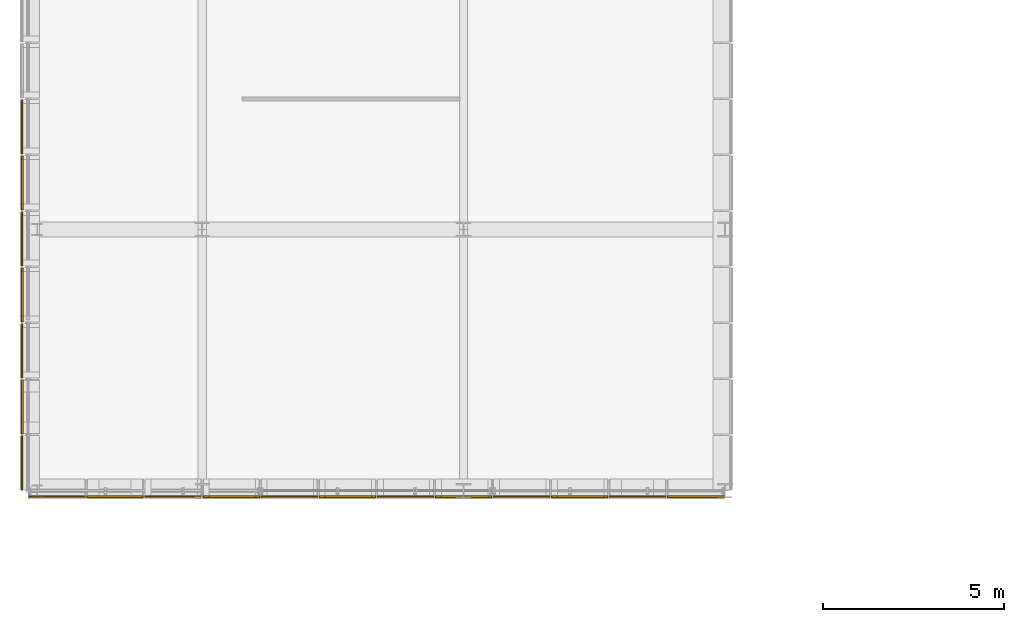
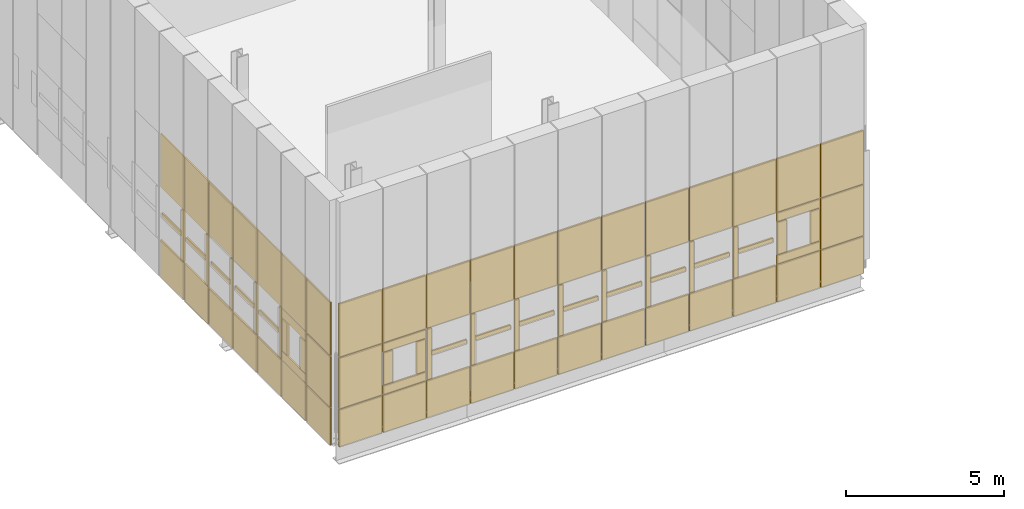
# One storey, part 125 of 144: 79 coverings.
"""IFC4 building model written with IfcOpenShell, lengths in metres."""

import ifcopenshell
import ifcopenshell.guid

model = None  # the IFC model being written
_history = None  # IfcOwnerHistory: only IFC2X3 demands one
_inside = {}  # id of a spatial element -> (the spatial element, [elements in it])
_under = {}  # id of a project, library or spatial element -> (it, [spatial elements below it])
_declared = {}  # id of a project -> (the project, [libraries it declares])
_typed = {}  # id of a type object -> (the type object, [elements of that type])
_made_of = {}  # id of a material, layer set ... -> (it, [elements and type objects made of it])


def new_model(schema):
    """Start an empty IFC model of exactly this schema.

    Asked for "IFC4X3", IfcOpenShell would pick the latest addendum, in which some entities
    have other attributes; the version numbers below select the first issue.
    IFC2X3 requires an IfcOwnerHistory on every rooted entity: one is made here for all.
    """
    global model, _history
    if schema == "IFC4X3":
        model = ifcopenshell.file(schema_version=(4, 3, 0, 0))
    else:
        model = ifcopenshell.file(schema=schema)
    _inside.clear()
    _under.clear()
    _declared.clear()
    _typed.clear()
    _made_of.clear()
    _history = None
    if model.schema == "IFC2X3":
        org = make("IfcOrganization", Name="unknown")
        user = make(
            "IfcPersonAndOrganization",
            ThePerson=make("IfcPerson", FamilyName="unknown"),
            TheOrganization=org,
        )
        app = make(
            "IfcApplication",
            ApplicationDeveloper=org,
            Version="unknown",
            ApplicationFullName="unknown",
            ApplicationIdentifier="unknown",
        )
        _history = make(
            "IfcOwnerHistory",
            OwningUser=user,
            OwningApplication=app,
            ChangeAction="ADDED",
            CreationDate=0,
        )
    return model


def make(cls, **values):
    """One entity of the class cls with the attributes given. An attribute that is None is left unset."""
    return model.create_entity(
        cls, **{name: value for name, value in values.items() if value is not None}
    )


def rooted(cls, **values):
    """An entity with a GlobalId (a new one), such as an element, a storey or a relation."""
    return make(cls, GlobalId=ifcopenshell.guid.new(), OwnerHistory=_history, **values)


def si_unit(unit_type, name, prefix=None):
    """IfcSIUnit, for example si_unit("LENGTHUNIT", "METRE", prefix="MILLI")."""
    return make("IfcSIUnit", UnitType=unit_type, Prefix=prefix, Name=name)


def assignment(units):
    """IfcUnitAssignment: the units of a project."""
    return None if units is None else make("IfcUnitAssignment", Units=units)


def point(xyz):
    """IfcCartesianPoint."""
    return None if xyz is None else make("IfcCartesianPoint", Coordinates=xyz)


def direction(xyz):
    """IfcDirection."""
    return None if xyz is None else make("IfcDirection", DirectionRatios=xyz)


def frame(location, z_axis=None, x_axis=None):
    """IfcAxis2Placement3D, a coordinate frame: its origin and axes. An axis left out is left unset."""
    return make(
        "IfcAxis2Placement3D",
        Location=point(location),
        Axis=direction(z_axis),
        RefDirection=direction(x_axis),
    )


def frame_2d(location, x_axis=None):
    """IfcAxis2Placement2D, a coordinate frame in the plane: its origin and x axis."""
    return make(
        "IfcAxis2Placement2D", Location=point(location), RefDirection=direction(x_axis)
    )


def origin():
    """The frame at (0, 0, 0) with its axes left unset."""
    return frame((0.0, 0.0, 0.0))


def origin_2d():
    """The frame at (0, 0) in the plane with its x axis left unset."""
    return frame_2d((0.0, 0.0))


def place(relative_to, where):
    """IfcLocalPlacement: puts the frame where relative to a parent placement (None: the world)."""
    return make(
        "IfcLocalPlacement", PlacementRelTo=relative_to, RelativePlacement=where
    )


def context(
    kind, dimensions, precision=None, world=None, true_north=None, identifier=None
):
    """IfcGeometricRepresentationContext, for example the 3D "Model" context."""
    return make(
        "IfcGeometricRepresentationContext",
        ContextIdentifier=identifier,
        ContextType=kind,
        CoordinateSpaceDimension=dimensions,
        Precision=precision,
        WorldCoordinateSystem=world,
        TrueNorth=true_north,
    )


def subcontext(parent, identifier, kind, view, scale=None):
    """IfcGeometricRepresentationSubContext, for example "Body" below "Model"."""
    return make(
        "IfcGeometricRepresentationSubContext",
        ContextIdentifier=identifier,
        ContextType=kind,
        ParentContext=parent,
        TargetScale=scale,
        TargetView=view,
    )


def project(units=None, contexts=None):
    """IfcProject with its units and contexts."""
    return rooted(
        "IfcProject",
        Name="project",
        RepresentationContexts=contexts,
        UnitsInContext=assignment(units),
    )


def spatial(cls, under=None, at=None, **own):
    """A site, building, storey or space (cls), placed at a placement, below another one or the project."""
    s = rooted(cls, ObjectPlacement=at, **own)
    if under is not None:
        _under.setdefault(under.id(), (under, []))[1].append(s)
    return s


def profile(cls, at=None, kind="AREA", **sizes):
    """A parametric profile (cls). Its sizes go by their IFC names, for example OverallWidth=200.0."""
    return make(cls, ProfileType=kind, Position=at, **sizes)


def rectangle(**sizes):
    """IfcRectangleProfileDef."""
    return profile("IfcRectangleProfileDef", **sizes)


def extrude(swept, where, along, depth):
    """IfcExtrudedAreaSolid: the profile swept, set in the frame where, extruded along a direction by depth."""
    return make(
        "IfcExtrudedAreaSolid",
        SweptArea=swept,
        Position=where,
        ExtrudedDirection=direction(along),
        Depth=depth,
    )


def shape(context_of_items, identifier, shape_type, items):
    """IfcShapeRepresentation: the items that make up one representation, for example the "Body"."""
    return make(
        "IfcShapeRepresentation",
        ContextOfItems=context_of_items,
        RepresentationIdentifier=identifier,
        RepresentationType=shape_type,
        Items=items,
    )


def material(Name=None, Category=None):
    """IfcMaterial."""
    return make("IfcMaterial", Name=Name, Category=Category)


def layer(
    of_material, thickness, ventilated=None, Name=None, Category=None, Priority=None
):
    """IfcMaterialLayer: one layer of a wall or slab, of a material (None: an air gap)."""
    return make(
        "IfcMaterialLayer",
        Material=of_material,
        LayerThickness=thickness,
        IsVentilated=ventilated,
        Name=Name,
        Category=Category,
        Priority=Priority,
    )


def layer_set(layers, Name=None):
    """IfcMaterialLayerSet."""
    return make("IfcMaterialLayerSet", MaterialLayers=layers, LayerSetName=Name)


def made_of(thing, what):
    """Note that an element or type object is made of a material, layer set ...; save() writes the relation."""
    if what is not None:
        _made_of.setdefault(what.id(), (what, []))[1].append(thing)
    return thing


def type_object(cls, material=None, **own):
    """A type object (cls), such as IfcWallType, which elements share."""
    return made_of(rooted(cls, **own), material)


def element(
    cls,
    number,
    at=None,
    inside=None,
    cuts=None,
    type_object=None,
    material=None,
    context=None,
    identifier="Body",
    shape_type=None,
    held_by="IfcProductDefinitionShape",
    body=None,
    shapes=None,
    **own,
):
    """One element of the class cls, such as IfcWall. Its Tag is "e" and its number.

    at: its placement. inside: the storey or other place that contains it. cuts: it is an
    opening in that element (IfcRelVoidsElement). A single representation is given by context,
    identifier, shape_type and body (its items); several are given by shapes. held_by: the class
    of the entity that holds the representations. save() writes the other relations.
    """
    e = rooted(cls, Tag="e%d" % number, ObjectPlacement=at, **own)
    if body is not None:
        shapes = [shape(context, identifier, shape_type, body)]
    if shapes is not None:
        e.Representation = make(held_by, Representations=shapes)
    if inside is not None:
        _inside.setdefault(inside.id(), (inside, []))[1].append(e)
    if cuts is not None:
        rooted(
            "IfcRelVoidsElement", RelatingBuildingElement=cuts, RelatedOpeningElement=e
        )
    if type_object is not None:
        _typed.setdefault(type_object.id(), (type_object, []))[1].append(e)
    return made_of(e, material)


def aggregate(whole, parts):
    """IfcRelAggregates: a whole, such as a stair, and the parts it consists of."""
    return rooted("IfcRelAggregates", RelatingObject=whole, RelatedObjects=parts)


def save(model, path):
    """Write the relations noted so far, then the file.

    IfcRelAggregates (storeys below a building ...), IfcRelContainedInSpatialStructure (elements
    in a storey), IfcRelDefinesByType, IfcRelAssociatesMaterial and IfcRelDeclares: one each for
    every whole, place, type object, material and project.
    """
    for whole, parts in _under.values():
        aggregate(whole, parts)
    for where, things in _inside.values():
        rooted(
            "IfcRelContainedInSpatialStructure",
            RelatedElements=things,
            RelatingStructure=where,
        )
    for kind, things in _typed.values():
        rooted("IfcRelDefinesByType", RelatedObjects=things, RelatingType=kind)
    for what, things in _made_of.values():
        rooted("IfcRelAssociatesMaterial", RelatedObjects=things, RelatingMaterial=what)
    for by, libraries in _declared.values():
        rooted("IfcRelDeclares", RelatingContext=by, RelatedDefinitions=libraries)
    model.write(path)


model = new_model("IFC4")

# Units and contexts
model_context = context("Model", 3, precision=1e-05, world=origin(), true_north=direction((0.0, 1.0)))
body_context = subcontext(model_context, "Body", "Model", "MODEL_VIEW")
ifc_project = project(units=[si_unit("LENGTHUNIT", "METRE"), si_unit("AREAUNIT", "SQUARE_METRE"), si_unit("VOLUMEUNIT", "CUBIC_METRE"), si_unit("PLANEANGLEUNIT", "RADIAN"), si_unit("MASSUNIT", "GRAM", prefix="KILO")], contexts=[model_context])

# Site, building, storey
site_placement = place(None, origin())
site = spatial("IfcSite", under=ifc_project, at=site_placement, CompositionType="ELEMENT")
building_placement = place(site_placement, origin())
building = spatial("IfcBuilding", under=site, at=building_placement, Name="Yarey Park Central Fire Station", CompositionType="ELEMENT")
storey_placement = place(building_placement, frame((0.0, 0.0, 10.199951171875)))
storey = spatial("IfcBuildingStorey", under=building, at=storey_placement, Name="L03", CompositionType="ELEMENT", Elevation=10.199951171875)

# Coverings
ifc_material = material(Name="Perforated Powder-Coated Aluminium Cladding", Category="aluminium")
ifc_layer_1 = layer(ifc_material, 0.0419921875)
ifc_layer_set_1 = layer_set([ifc_layer_1], Name="Perforated Powder-Coated Aluminium Cladding")
covering_type_1 = type_object("IfcCoveringType", Name="ENV_COV_PERF_1", PredefinedType="CLADDING", material=ifc_layer_set_1)
covering_1_placement = place(storey_placement, frame((9.43994140625, 22.371337890625, -0.5048828125), z_axis=(0.0, 0.0, 1.0), x_axis=(0.0, 1.0, 0.0)))
element("IfcCovering", 1, at=covering_1_placement, inside=storey, type_object=covering_type_1, Name="PERF_L03_0001", PredefinedType="CLADDING", context=body_context, shape_type="SweptSolid", body=[
    extrude(rectangle(XDim=1.5029296875, YDim=0.0419921875, at=origin_2d()), origin(), (0.0, 0.0, 1.0), 1.43994140625),
])
covering_2_placement = place(storey_placement, frame((9.43994140625, 22.371337890625, 0.96484375), z_axis=(0.0, 0.0, 1.0), x_axis=(0.0, 1.0, 0.0)))
element("IfcCovering", 2, at=covering_2_placement, inside=storey, type_object=covering_type_1, Name="PERF_L03_0002", PredefinedType="CLADDING", context=body_context, shape_type="SweptSolid", body=[
    extrude(rectangle(XDim=1.5029296875, YDim=0.0419921875, at=origin_2d()), origin(), (0.0, 0.0, 1.0), 1.969970703125),
])
covering_3_placement = place(storey_placement, frame((9.43994140625, 22.371337890625, 2.96484375), z_axis=(0.0, 0.0, 1.0), x_axis=(0.0, 1.0, 0.0)))
element("IfcCovering", 3, at=covering_3_placement, inside=storey, type_object=covering_type_1, Name="PERF_L03_0003", PredefinedType="CLADDING", context=body_context, shape_type="SweptSolid", body=[
    extrude(rectangle(XDim=1.5029296875, YDim=0.0419921875, at=origin_2d()), origin(), (0.0, 0.0, 1.0), 2.070068359375),
])
covering_4_placement = place(storey_placement, frame((9.43994140625, 25.45703125, -0.5048828125), z_axis=(0.0, 0.0, 1.0), x_axis=(0.0, 1.0, 0.0)))
element("IfcCovering", 4, at=covering_4_placement, inside=storey, type_object=covering_type_1, Name="PERF_L03_0017", PredefinedType="CLADDING", context=body_context, shape_type="SweptSolid", body=[
    extrude(rectangle(XDim=1.5029296875, YDim=0.0419921875, at=origin_2d()), origin(), (0.0, 0.0, 1.0), 1.43994140625),
])
covering_5_placement = place(storey_placement, frame((9.43994140625, 24.795654296875, 0.96484375), z_axis=(0.0, 0.0, 1.0), x_axis=(0.0, 1.0, 0.0)))
element("IfcCovering", 5, at=covering_5_placement, inside=storey, type_object=covering_type_1, Name="PERF_L03_0018", PredefinedType="CLADDING", context=body_context, shape_type="SweptSolid", body=[
    extrude(rectangle(XDim=0.159912109375, YDim=0.0419921875, at=origin_2d()), origin(), (0.0, 0.0, 1.0), 1.969970703125),
])
covering_6_placement = place(storey_placement, frame((9.43994140625, 25.45703125, 1.8701171875), z_axis=(0.0, 0.0, 1.0), x_axis=(0.0, 1.0, 0.0)))
element("IfcCovering", 6, at=covering_6_placement, inside=storey, type_object=covering_type_1, Name="PERF_L03_0019", PredefinedType="CLADDING", context=body_context, shape_type="SweptSolid", body=[
    extrude(rectangle(XDim=1.302978515625, YDim=0.0419921875, at=origin_2d()), origin(), (0.0, 0.0, 1.0), 0.159912109375),
])
covering_7_placement = place(storey_placement, frame((9.43994140625, 25.45703125, 2.96484375), z_axis=(0.0, 0.0, 1.0), x_axis=(0.0, 1.0, 0.0)))
element("IfcCovering", 7, at=covering_7_placement, inside=storey, type_object=covering_type_1, Name="PERF_L03_0020", PredefinedType="CLADDING", context=body_context, shape_type="SweptSolid", body=[
    extrude(rectangle(XDim=1.5029296875, YDim=0.0419921875, at=origin_2d()), origin(), (0.0, 0.0, 1.0), 2.070068359375),
])
covering_8_placement = place(storey_placement, frame((9.43994140625, 28.54296875, -0.5048828125), z_axis=(0.0, 0.0, 1.0), x_axis=(0.0, 1.0, 0.0)))
element("IfcCovering", 8, at=covering_8_placement, inside=storey, type_object=covering_type_1, Name="PERF_L03_0031", PredefinedType="CLADDING", context=body_context, shape_type="SweptSolid", body=[
    extrude(rectangle(XDim=1.5029296875, YDim=0.0419921875, at=origin_2d()), origin(), (0.0, 0.0, 1.0), 1.43994140625),
])
covering_9_placement = place(storey_placement, frame((9.43994140625, 27.881591796875, 0.96484375), z_axis=(0.0, 0.0, 1.0), x_axis=(0.0, 1.0, 0.0)))
element("IfcCovering", 9, at=covering_9_placement, inside=storey, type_object=covering_type_1, Name="PERF_L03_0032", PredefinedType="CLADDING", context=body_context, shape_type="SweptSolid", body=[
    extrude(rectangle(XDim=0.159912109375, YDim=0.0419921875, at=origin_2d()), origin(), (0.0, 0.0, 1.0), 1.969970703125),
])
covering_10_placement = place(storey_placement, frame((9.43994140625, 28.54296875, 1.8701171875), z_axis=(0.0, 0.0, 1.0), x_axis=(0.0, 1.0, 0.0)))
element("IfcCovering", 10, at=covering_10_placement, inside=storey, type_object=covering_type_1, Name="PERF_L03_0033", PredefinedType="CLADDING", context=body_context, shape_type="SweptSolid", body=[
    extrude(rectangle(XDim=1.302978515625, YDim=0.0419921875, at=origin_2d()), origin(), (0.0, 0.0, 1.0), 0.159912109375),
])
covering_11_placement = place(storey_placement, frame((9.43994140625, 28.54296875, 2.96484375), z_axis=(0.0, 0.0, 1.0), x_axis=(0.0, 1.0, 0.0)))
element("IfcCovering", 11, at=covering_11_placement, inside=storey, type_object=covering_type_1, Name="PERF_L03_0034", PredefinedType="CLADDING", context=body_context, shape_type="SweptSolid", body=[
    extrude(rectangle(XDim=1.5029296875, YDim=0.0419921875, at=origin_2d()), origin(), (0.0, 0.0, 1.0), 2.070068359375),
])
covering_12_placement = place(storey_placement, frame((9.43994140625, 31.628662109375, -0.5048828125), z_axis=(0.0, 0.0, 1.0), x_axis=(0.0, 1.0, 0.0)))
element("IfcCovering", 12, at=covering_12_placement, inside=storey, type_object=covering_type_1, Name="PERF_L03_0045", PredefinedType="CLADDING", context=body_context, shape_type="SweptSolid", body=[
    extrude(rectangle(XDim=1.5029296875, YDim=0.0419921875, at=origin_2d()), origin(), (0.0, 0.0, 1.0), 1.43994140625),
])
covering_13_placement = place(storey_placement, frame((9.43994140625, 30.96728515625, 0.96484375), z_axis=(0.0, 0.0, 1.0), x_axis=(0.0, 1.0, 0.0)))
element("IfcCovering", 13, at=covering_13_placement, inside=storey, type_object=covering_type_1, Name="PERF_L03_0046", PredefinedType="CLADDING", context=body_context, shape_type="SweptSolid", body=[
    extrude(rectangle(XDim=0.159912109375, YDim=0.0419921875, at=origin_2d()), origin(), (0.0, 0.0, 1.0), 1.969970703125),
])
covering_14_placement = place(storey_placement, frame((9.43994140625, 31.628662109375, 1.8701171875), z_axis=(0.0, 0.0, 1.0), x_axis=(0.0, 1.0, 0.0)))
element("IfcCovering", 14, at=covering_14_placement, inside=storey, type_object=covering_type_1, Name="PERF_L03_0047", PredefinedType="CLADDING", context=body_context, shape_type="SweptSolid", body=[
    extrude(rectangle(XDim=1.302978515625, YDim=0.0419921875, at=origin_2d()), origin(), (0.0, 0.0, 1.0), 0.159912109375),
])
covering_15_placement = place(storey_placement, frame((9.43994140625, 31.628662109375, 2.96484375), z_axis=(0.0, 0.0, 1.0), x_axis=(0.0, 1.0, 0.0)))
element("IfcCovering", 15, at=covering_15_placement, inside=storey, type_object=covering_type_1, Name="PERF_L03_0048", PredefinedType="CLADDING", context=body_context, shape_type="SweptSolid", body=[
    extrude(rectangle(XDim=1.5029296875, YDim=0.0419921875, at=origin_2d()), origin(), (0.0, 0.0, 1.0), 2.070068359375),
])
covering_16_placement = place(storey_placement, frame((10.39990234375, 21.43994140625, -0.5048828125), z_axis=(0.0, 0.0, 1.0), x_axis=(1.0, 0.0, 0.0)))
element("IfcCovering", 16, at=covering_16_placement, inside=storey, type_object=covering_type_1, Name="PERF_L03_0103", PredefinedType="CLADDING", context=body_context, shape_type="SweptSolid", body=[
    extrude(rectangle(XDim=1.56005859375, YDim=0.0419921875, at=origin_2d()), origin(), (0.0, 0.0, 1.0), 1.43994140625),
])
covering_17_placement = place(storey_placement, frame((10.39990234375, 21.43994140625, 0.96484375), z_axis=(0.0, 0.0, 1.0), x_axis=(1.0, 0.0, 0.0)))
element("IfcCovering", 17, at=covering_17_placement, inside=storey, type_object=covering_type_1, Name="PERF_L03_0104", PredefinedType="CLADDING", context=body_context, shape_type="SweptSolid", body=[
    extrude(rectangle(XDim=1.56005859375, YDim=0.0419921875, at=origin_2d()), origin(), (0.0, 0.0, 1.0), 1.969970703125),
])
covering_18_placement = place(storey_placement, frame((10.39990234375, 21.43994140625, 2.96484375), z_axis=(0.0, 0.0, 1.0), x_axis=(1.0, 0.0, 0.0)))
element("IfcCovering", 18, at=covering_18_placement, inside=storey, type_object=covering_type_1, Name="PERF_L03_0105", PredefinedType="CLADDING", context=body_context, shape_type="SweptSolid", body=[
    extrude(rectangle(XDim=1.56005859375, YDim=0.0419921875, at=origin_2d()), origin(), (0.0, 0.0, 1.0), 2.070068359375),
])
covering_19_placement = place(storey_placement, frame((13.60009765625, 21.43994140625, -0.5048828125), z_axis=(0.0, 0.0, 1.0), x_axis=(1.0, 0.0, 0.0)))
element("IfcCovering", 19, at=covering_19_placement, inside=storey, type_object=covering_type_1, Name="PERF_L03_0119", PredefinedType="CLADDING", context=body_context, shape_type="SweptSolid", body=[
    extrude(rectangle(XDim=1.56005859375, YDim=0.0419921875, at=origin_2d()), origin(), (0.0, 0.0, 1.0), 1.43994140625),
])
covering_20_placement = place(storey_placement, frame((12.909912109375, 21.43994140625, 0.96484375), z_axis=(0.0, 0.0, 1.0), x_axis=(1.0, 0.0, 0.0)))
element("IfcCovering", 20, at=covering_20_placement, inside=storey, type_object=covering_type_1, Name="PERF_L03_0120", PredefinedType="CLADDING", context=body_context, shape_type="SweptSolid", body=[
    extrude(rectangle(XDim=0.159912109375, YDim=0.0419921875, at=origin_2d()), origin(), (0.0, 0.0, 1.0), 1.969970703125),
])
covering_21_placement = place(storey_placement, frame((13.60009765625, 21.43994140625, 1.8701171875), z_axis=(0.0, 0.0, 1.0), x_axis=(1.0, 0.0, 0.0)))
element("IfcCovering", 21, at=covering_21_placement, inside=storey, type_object=covering_type_1, Name="PERF_L03_0121", PredefinedType="CLADDING", context=body_context, shape_type="SweptSolid", body=[
    extrude(rectangle(XDim=1.360107421875, YDim=0.0419921875, at=origin_2d()), origin(), (0.0, 0.0, 1.0), 0.159912109375),
])
covering_22_placement = place(storey_placement, frame((13.60009765625, 21.43994140625, 2.96484375), z_axis=(0.0, 0.0, 1.0), x_axis=(1.0, 0.0, 0.0)))
element("IfcCovering", 22, at=covering_22_placement, inside=storey, type_object=covering_type_1, Name="PERF_L03_0122", PredefinedType="CLADDING", context=body_context, shape_type="SweptSolid", body=[
    extrude(rectangle(XDim=1.56005859375, YDim=0.0419921875, at=origin_2d()), origin(), (0.0, 0.0, 1.0), 2.070068359375),
])
covering_23_placement = place(storey_placement, frame((16.800048828125, 21.43994140625, -0.5048828125), z_axis=(0.0, 0.0, 1.0), x_axis=(1.0, 0.0, 0.0)))
element("IfcCovering", 23, at=covering_23_placement, inside=storey, type_object=covering_type_1, Name="PERF_L03_0133", PredefinedType="CLADDING", context=body_context, shape_type="SweptSolid", body=[
    extrude(rectangle(XDim=1.56005859375, YDim=0.0419921875, at=origin_2d()), origin(), (0.0, 0.0, 1.0), 1.43994140625),
])
covering_24_placement = place(storey_placement, frame((16.110107421875, 21.43994140625, 0.96484375), z_axis=(0.0, 0.0, 1.0), x_axis=(1.0, 0.0, 0.0)))
element("IfcCovering", 24, at=covering_24_placement, inside=storey, type_object=covering_type_1, Name="PERF_L03_0134", PredefinedType="CLADDING", context=body_context, shape_type="SweptSolid", body=[
    extrude(rectangle(XDim=0.159912109375, YDim=0.0419921875, at=origin_2d()), origin(), (0.0, 0.0, 1.0), 1.969970703125),
])
covering_25_placement = place(storey_placement, frame((16.800048828125, 21.43994140625, 1.8701171875), z_axis=(0.0, 0.0, 1.0), x_axis=(1.0, 0.0, 0.0)))
element("IfcCovering", 25, at=covering_25_placement, inside=storey, type_object=covering_type_1, Name="PERF_L03_0135", PredefinedType="CLADDING", context=body_context, shape_type="SweptSolid", body=[
    extrude(rectangle(XDim=1.360107421875, YDim=0.0419921875, at=origin_2d()), origin(), (0.0, 0.0, 1.0), 0.159912109375),
])
covering_26_placement = place(storey_placement, frame((16.800048828125, 21.43994140625, 2.96484375), z_axis=(0.0, 0.0, 1.0), x_axis=(1.0, 0.0, 0.0)))
element("IfcCovering", 26, at=covering_26_placement, inside=storey, type_object=covering_type_1, Name="PERF_L03_0136", PredefinedType="CLADDING", context=body_context, shape_type="SweptSolid", body=[
    extrude(rectangle(XDim=1.56005859375, YDim=0.0419921875, at=origin_2d()), origin(), (0.0, 0.0, 1.0), 2.070068359375),
])
covering_27_placement = place(storey_placement, frame((20.0, 21.43994140625, -0.5048828125), z_axis=(0.0, 0.0, 1.0), x_axis=(1.0, 0.0, 0.0)))
element("IfcCovering", 27, at=covering_27_placement, inside=storey, type_object=covering_type_1, Name="PERF_L03_0147", PredefinedType="CLADDING", context=body_context, shape_type="SweptSolid", body=[
    extrude(rectangle(XDim=1.56005859375, YDim=0.0419921875, at=origin_2d()), origin(), (0.0, 0.0, 1.0), 1.43994140625),
])
covering_28_placement = place(storey_placement, frame((19.31005859375, 21.43994140625, 0.96484375), z_axis=(0.0, 0.0, 1.0), x_axis=(1.0, 0.0, 0.0)))
element("IfcCovering", 28, at=covering_28_placement, inside=storey, type_object=covering_type_1, Name="PERF_L03_0148", PredefinedType="CLADDING", context=body_context, shape_type="SweptSolid", body=[
    extrude(rectangle(XDim=0.159912109375, YDim=0.0419921875, at=origin_2d()), origin(), (0.0, 0.0, 1.0), 1.969970703125),
])
covering_29_placement = place(storey_placement, frame((20.0, 21.43994140625, 1.8701171875), z_axis=(0.0, 0.0, 1.0), x_axis=(1.0, 0.0, 0.0)))
element("IfcCovering", 29, at=covering_29_placement, inside=storey, type_object=covering_type_1, Name="PERF_L03_0149", PredefinedType="CLADDING", context=body_context, shape_type="SweptSolid", body=[
    extrude(rectangle(XDim=1.360107421875, YDim=0.0419921875, at=origin_2d()), origin(), (0.0, 0.0, 1.0), 0.159912109375),
])
covering_30_placement = place(storey_placement, frame((20.0, 21.43994140625, 2.96484375), z_axis=(0.0, 0.0, 1.0), x_axis=(1.0, 0.0, 0.0)))
element("IfcCovering", 30, at=covering_30_placement, inside=storey, type_object=covering_type_1, Name="PERF_L03_0150", PredefinedType="CLADDING", context=body_context, shape_type="SweptSolid", body=[
    extrude(rectangle(XDim=1.56005859375, YDim=0.0419921875, at=origin_2d()), origin(), (0.0, 0.0, 1.0), 2.070068359375),
])
covering_31_placement = place(storey_placement, frame((23.199951171875, 21.43994140625, -0.5048828125), z_axis=(0.0, 0.0, 1.0), x_axis=(1.0, 0.0, 0.0)))
element("IfcCovering", 31, at=covering_31_placement, inside=storey, type_object=covering_type_1, Name="PERF_L03_0161", PredefinedType="CLADDING", context=body_context, shape_type="SweptSolid", body=[
    extrude(rectangle(XDim=1.56005859375, YDim=0.0419921875, at=origin_2d()), origin(), (0.0, 0.0, 1.0), 1.43994140625),
])
covering_32_placement = place(storey_placement, frame((22.510009765625, 21.43994140625, 0.96484375), z_axis=(0.0, 0.0, 1.0), x_axis=(1.0, 0.0, 0.0)))
element("IfcCovering", 32, at=covering_32_placement, inside=storey, type_object=covering_type_1, Name="PERF_L03_0162", PredefinedType="CLADDING", context=body_context, shape_type="SweptSolid", body=[
    extrude(rectangle(XDim=0.159912109375, YDim=0.0419921875, at=origin_2d()), origin(), (0.0, 0.0, 1.0), 1.969970703125),
])
covering_33_placement = place(storey_placement, frame((23.199951171875, 21.43994140625, 1.8701171875), z_axis=(0.0, 0.0, 1.0), x_axis=(1.0, 0.0, 0.0)))
element("IfcCovering", 33, at=covering_33_placement, inside=storey, type_object=covering_type_1, Name="PERF_L03_0163", PredefinedType="CLADDING", context=body_context, shape_type="SweptSolid", body=[
    extrude(rectangle(XDim=1.360107421875, YDim=0.0419921875, at=origin_2d()), origin(), (0.0, 0.0, 1.0), 0.159912109375),
])
covering_34_placement = place(storey_placement, frame((23.199951171875, 21.43994140625, 2.96484375), z_axis=(0.0, 0.0, 1.0), x_axis=(1.0, 0.0, 0.0)))
element("IfcCovering", 34, at=covering_34_placement, inside=storey, type_object=covering_type_1, Name="PERF_L03_0164", PredefinedType="CLADDING", context=body_context, shape_type="SweptSolid", body=[
    extrude(rectangle(XDim=1.56005859375, YDim=0.0419921875, at=origin_2d()), origin(), (0.0, 0.0, 1.0), 2.070068359375),
])
covering_35_placement = place(storey_placement, frame((26.39990234375, 21.43994140625, -0.5048828125), z_axis=(0.0, 0.0, 1.0), x_axis=(1.0, 0.0, 0.0)))
element("IfcCovering", 35, at=covering_35_placement, inside=storey, type_object=covering_type_1, Name="PERF_L03_0175", PredefinedType="CLADDING", context=body_context, shape_type="SweptSolid", body=[
    extrude(rectangle(XDim=1.56005859375, YDim=0.0419921875, at=origin_2d()), origin(), (0.0, 0.0, 1.0), 1.43994140625),
])
for number, where, z_axis, x_axis, name in (
    (36, (26.39990234375, 21.43994140625, 0.9599609375), (0.0, 0.0, 1.0), (1.0, 0.0, 0.0), "PERF_L03_0176"),
    (37, (26.39990234375, 21.43994140625, 2.60009765625), (0.0, 0.0, 1.0), (1.0, 0.0, 0.0), "PERF_L03_0177"),
):
    element("IfcCovering", number, at=place(storey_placement, frame(where, z_axis=z_axis, x_axis=x_axis)), inside=storey, type_object=covering_type_1, Name=name, PredefinedType="CLADDING", context=body_context, shape_type="SweptSolid", body=[
        extrude(rectangle(XDim=1.56005859375, YDim=0.0419921875, at=origin_2d()), origin(), (0.0, 0.0, 1.0), 0.340087890625),
    ])
for number, where, z_axis, x_axis, name in (
    (38, (25.800048828125, 21.43994140625, 1.324951171875), (0.0, 0.0, 1.0), (1.0, 0.0, 0.0), "PERF_L03_0178"),
    (39, (27.0, 21.43994140625, 1.324951171875), (0.0, 0.0, 1.0), (1.0, 0.0, 0.0), "PERF_L03_0179"),
):
    element("IfcCovering", number, at=place(storey_placement, frame(where, z_axis=z_axis, x_axis=x_axis)), inside=storey, type_object=covering_type_1, Name=name, PredefinedType="CLADDING", context=body_context, shape_type="SweptSolid", body=[
        extrude(rectangle(XDim=0.340087890625, YDim=0.0419921875, at=origin_2d()), origin(), (0.0, 0.0, 1.0), 1.25),
    ])
covering_36_placement = place(storey_placement, frame((26.39990234375, 21.43994140625, 2.96484375), z_axis=(0.0, 0.0, 1.0), x_axis=(1.0, 0.0, 0.0)))
element("IfcCovering", 40, at=covering_36_placement, inside=storey, type_object=covering_type_1, Name="PERF_L03_0180", PredefinedType="CLADDING", context=body_context, shape_type="SweptSolid", body=[
    extrude(rectangle(XDim=1.56005859375, YDim=0.0419921875, at=origin_2d()), origin(), (0.0, 0.0, 1.0), 2.070068359375),
])
ifc_layer_2 = layer(ifc_material, 0.053955078125)
ifc_layer_set_2 = layer_set([ifc_layer_2], Name="Perforated Powder-Coated Aluminium Cladding")
covering_type_2 = type_object("IfcCoveringType", Name="ENV_COV_PERF_2", PredefinedType="CLADDING", material=ifc_layer_set_2)
covering_37_placement = place(storey_placement, frame((9.43994140625, 23.914306640625, -0.5048828125), z_axis=(0.0, 0.0, 1.0), x_axis=(0.0, 1.0, 0.0)))
element("IfcCovering", 41, at=covering_37_placement, inside=storey, type_object=covering_type_2, Name="PERF_L03_0006", PredefinedType="CLADDING", context=body_context, shape_type="SweptSolid", body=[
    extrude(rectangle(XDim=1.5029296875, YDim=0.053955078125, at=origin_2d()), origin(), (0.0, 0.0, 1.0), 1.43994140625),
])
for number, where, z_axis, x_axis, name in (
    (42, (9.43994140625, 23.914306640625, 0.9599609375), (0.0, 0.0, 1.0), (0.0, 1.0, 0.0), "PERF_L03_0007"),
    (43, (9.43994140625, 23.914306640625, 2.60009765625), (0.0, 0.0, 1.0), (0.0, 1.0, 0.0), "PERF_L03_0008"),
):
    element("IfcCovering", number, at=place(storey_placement, frame(where, z_axis=z_axis, x_axis=x_axis)), inside=storey, type_object=covering_type_2, Name=name, PredefinedType="CLADDING", context=body_context, shape_type="SweptSolid", body=[
        extrude(rectangle(XDim=1.5029296875, YDim=0.053955078125, at=origin_2d()), origin(), (0.0, 0.0, 1.0), 0.340087890625),
    ])
for number, where, z_axis, x_axis, name in (
    (44, (9.43994140625, 23.343017578125, 1.324951171875), (0.0, 0.0, 1.0), (0.0, 1.0, 0.0), "PERF_L03_0009"),
    (45, (9.43994140625, 24.485595703125, 1.324951171875), (0.0, 0.0, 1.0), (0.0, 1.0, 0.0), "PERF_L03_0010"),
):
    element("IfcCovering", number, at=place(storey_placement, frame(where, z_axis=z_axis, x_axis=x_axis)), inside=storey, type_object=covering_type_2, Name=name, PredefinedType="CLADDING", context=body_context, shape_type="SweptSolid", body=[
        extrude(rectangle(XDim=0.340087890625, YDim=0.053955078125, at=origin_2d()), origin(), (0.0, 0.0, 1.0), 1.25),
    ])
covering_38_placement = place(storey_placement, frame((9.43994140625, 23.914306640625, 2.96484375), z_axis=(0.0, 0.0, 1.0), x_axis=(0.0, 1.0, 0.0)))
element("IfcCovering", 46, at=covering_38_placement, inside=storey, type_object=covering_type_2, Name="PERF_L03_0011", PredefinedType="CLADDING", context=body_context, shape_type="SweptSolid", body=[
    extrude(rectangle(XDim=1.5029296875, YDim=0.053955078125, at=origin_2d()), origin(), (0.0, 0.0, 1.0), 2.070068359375),
])
covering_39_placement = place(storey_placement, frame((9.43994140625, 27.0, -0.5048828125), z_axis=(0.0, 0.0, 1.0), x_axis=(0.0, 1.0, 0.0)))
element("IfcCovering", 47, at=covering_39_placement, inside=storey, type_object=covering_type_2, Name="PERF_L03_0024", PredefinedType="CLADDING", context=body_context, shape_type="SweptSolid", body=[
    extrude(rectangle(XDim=1.5029296875, YDim=0.053955078125, at=origin_2d()), origin(), (0.0, 0.0, 1.0), 1.43994140625),
])
covering_40_placement = place(storey_placement, frame((9.43994140625, 26.338623046875, 0.96484375), z_axis=(0.0, 0.0, 1.0), x_axis=(0.0, 1.0, 0.0)))
element("IfcCovering", 48, at=covering_40_placement, inside=storey, type_object=covering_type_2, Name="PERF_L03_0025", PredefinedType="CLADDING", context=body_context, shape_type="SweptSolid", body=[
    extrude(rectangle(XDim=0.159912109375, YDim=0.053955078125, at=origin_2d()), origin(), (0.0, 0.0, 1.0), 1.969970703125),
])
covering_41_placement = place(storey_placement, frame((9.43994140625, 27.0, 1.8701171875), z_axis=(0.0, 0.0, 1.0), x_axis=(0.0, 1.0, 0.0)))
element("IfcCovering", 49, at=covering_41_placement, inside=storey, type_object=covering_type_2, Name="PERF_L03_0026", PredefinedType="CLADDING", context=body_context, shape_type="SweptSolid", body=[
    extrude(rectangle(XDim=1.302978515625, YDim=0.053955078125, at=origin_2d()), origin(), (0.0, 0.0, 1.0), 0.159912109375),
])
covering_42_placement = place(storey_placement, frame((9.43994140625, 27.0, 2.96484375), z_axis=(0.0, 0.0, 1.0), x_axis=(0.0, 1.0, 0.0)))
element("IfcCovering", 50, at=covering_42_placement, inside=storey, type_object=covering_type_2, Name="PERF_L03_0027", PredefinedType="CLADDING", context=body_context, shape_type="SweptSolid", body=[
    extrude(rectangle(XDim=1.5029296875, YDim=0.053955078125, at=origin_2d()), origin(), (0.0, 0.0, 1.0), 2.070068359375),
])
covering_43_placement = place(storey_placement, frame((9.43994140625, 30.085693359375, -0.5048828125), z_axis=(0.0, 0.0, 1.0), x_axis=(0.0, 1.0, 0.0)))
element("IfcCovering", 51, at=covering_43_placement, inside=storey, type_object=covering_type_2, Name="PERF_L03_0038", PredefinedType="CLADDING", context=body_context, shape_type="SweptSolid", body=[
    extrude(rectangle(XDim=1.5029296875, YDim=0.053955078125, at=origin_2d()), origin(), (0.0, 0.0, 1.0), 1.43994140625),
])
covering_44_placement = place(storey_placement, frame((9.43994140625, 29.42431640625, 0.96484375), z_axis=(0.0, 0.0, 1.0), x_axis=(0.0, 1.0, 0.0)))
element("IfcCovering", 52, at=covering_44_placement, inside=storey, type_object=covering_type_2, Name="PERF_L03_0039", PredefinedType="CLADDING", context=body_context, shape_type="SweptSolid", body=[
    extrude(rectangle(XDim=0.159912109375, YDim=0.053955078125, at=origin_2d()), origin(), (0.0, 0.0, 1.0), 1.969970703125),
])
covering_45_placement = place(storey_placement, frame((9.43994140625, 30.085693359375, 1.8701171875), z_axis=(0.0, 0.0, 1.0), x_axis=(0.0, 1.0, 0.0)))
element("IfcCovering", 53, at=covering_45_placement, inside=storey, type_object=covering_type_2, Name="PERF_L03_0040", PredefinedType="CLADDING", context=body_context, shape_type="SweptSolid", body=[
    extrude(rectangle(XDim=1.302978515625, YDim=0.053955078125, at=origin_2d()), origin(), (0.0, 0.0, 1.0), 0.159912109375),
])
covering_46_placement = place(storey_placement, frame((9.43994140625, 30.085693359375, 2.96484375), z_axis=(0.0, 0.0, 1.0), x_axis=(0.0, 1.0, 0.0)))
element("IfcCovering", 54, at=covering_46_placement, inside=storey, type_object=covering_type_2, Name="PERF_L03_0041", PredefinedType="CLADDING", context=body_context, shape_type="SweptSolid", body=[
    extrude(rectangle(XDim=1.5029296875, YDim=0.053955078125, at=origin_2d()), origin(), (0.0, 0.0, 1.0), 2.070068359375),
])
covering_47_placement = place(storey_placement, frame((12.0, 21.43994140625, -0.5048828125), z_axis=(0.0, 0.0, 1.0), x_axis=(1.0, 0.0, 0.0)))
element("IfcCovering", 55, at=covering_47_placement, inside=storey, type_object=covering_type_2, Name="PERF_L03_0108", PredefinedType="CLADDING", context=body_context, shape_type="SweptSolid", body=[
    extrude(rectangle(XDim=1.56005859375, YDim=0.053955078125, at=origin_2d()), origin(), (0.0, 0.0, 1.0), 1.43994140625),
])
for number, where, z_axis, x_axis, name in (
    (56, (12.0, 21.43994140625, 0.9599609375), (0.0, 0.0, 1.0), (1.0, 0.0, 0.0), "PERF_L03_0109"),
    (57, (12.0, 21.43994140625, 2.60009765625), (0.0, 0.0, 1.0), (1.0, 0.0, 0.0), "PERF_L03_0110"),
):
    element("IfcCovering", number, at=place(storey_placement, frame(where, z_axis=z_axis, x_axis=x_axis)), inside=storey, type_object=covering_type_2, Name=name, PredefinedType="CLADDING", context=body_context, shape_type="SweptSolid", body=[
        extrude(rectangle(XDim=1.56005859375, YDim=0.053955078125, at=origin_2d()), origin(), (0.0, 0.0, 1.0), 0.340087890625),
    ])
for number, where, z_axis, x_axis, name in (
    (58, (11.39990234375, 21.43994140625, 1.324951171875), (0.0, 0.0, 1.0), (1.0, 0.0, 0.0), "PERF_L03_0111"),
    (59, (12.60009765625, 21.43994140625, 1.324951171875), (0.0, 0.0, 1.0), (1.0, 0.0, 0.0), "PERF_L03_0112"),
):
    element("IfcCovering", number, at=place(storey_placement, frame(where, z_axis=z_axis, x_axis=x_axis)), inside=storey, type_object=covering_type_2, Name=name, PredefinedType="CLADDING", context=body_context, shape_type="SweptSolid", body=[
        extrude(rectangle(XDim=0.340087890625, YDim=0.053955078125, at=origin_2d()), origin(), (0.0, 0.0, 1.0), 1.25),
    ])
covering_48_placement = place(storey_placement, frame((12.0, 21.43994140625, 2.96484375), z_axis=(0.0, 0.0, 1.0), x_axis=(1.0, 0.0, 0.0)))
element("IfcCovering", 60, at=covering_48_placement, inside=storey, type_object=covering_type_2, Name="PERF_L03_0113", PredefinedType="CLADDING", context=body_context, shape_type="SweptSolid", body=[
    extrude(rectangle(XDim=1.56005859375, YDim=0.053955078125, at=origin_2d()), origin(), (0.0, 0.0, 1.0), 2.070068359375),
])
covering_49_placement = place(storey_placement, frame((15.199951171875, 21.43994140625, -0.5048828125), z_axis=(0.0, 0.0, 1.0), x_axis=(1.0, 0.0, 0.0)))
element("IfcCovering", 61, at=covering_49_placement, inside=storey, type_object=covering_type_2, Name="PERF_L03_0126", PredefinedType="CLADDING", context=body_context, shape_type="SweptSolid", body=[
    extrude(rectangle(XDim=1.56005859375, YDim=0.053955078125, at=origin_2d()), origin(), (0.0, 0.0, 1.0), 1.43994140625),
])
covering_50_placement = place(storey_placement, frame((14.510009765625, 21.43994140625, 0.96484375), z_axis=(0.0, 0.0, 1.0), x_axis=(1.0, 0.0, 0.0)))
element("IfcCovering", 62, at=covering_50_placement, inside=storey, type_object=covering_type_2, Name="PERF_L03_0127", PredefinedType="CLADDING", context=body_context, shape_type="SweptSolid", body=[
    extrude(rectangle(XDim=0.159912109375, YDim=0.053955078125, at=origin_2d()), origin(), (0.0, 0.0, 1.0), 1.969970703125),
])
covering_51_placement = place(storey_placement, frame((15.199951171875, 21.43994140625, 1.8701171875), z_axis=(0.0, 0.0, 1.0), x_axis=(1.0, 0.0, 0.0)))
element("IfcCovering", 63, at=covering_51_placement, inside=storey, type_object=covering_type_2, Name="PERF_L03_0128", PredefinedType="CLADDING", context=body_context, shape_type="SweptSolid", body=[
    extrude(rectangle(XDim=1.360107421875, YDim=0.053955078125, at=origin_2d()), origin(), (0.0, 0.0, 1.0), 0.159912109375),
])
covering_52_placement = place(storey_placement, frame((15.199951171875, 21.43994140625, 2.96484375), z_axis=(0.0, 0.0, 1.0), x_axis=(1.0, 0.0, 0.0)))
element("IfcCovering", 64, at=covering_52_placement, inside=storey, type_object=covering_type_2, Name="PERF_L03_0129", PredefinedType="CLADDING", context=body_context, shape_type="SweptSolid", body=[
    extrude(rectangle(XDim=1.56005859375, YDim=0.053955078125, at=origin_2d()), origin(), (0.0, 0.0, 1.0), 2.070068359375),
])
covering_53_placement = place(storey_placement, frame((18.39990234375, 21.43994140625, -0.5048828125), z_axis=(0.0, 0.0, 1.0), x_axis=(1.0, 0.0, 0.0)))
element("IfcCovering", 65, at=covering_53_placement, inside=storey, type_object=covering_type_2, Name="PERF_L03_0140", PredefinedType="CLADDING", context=body_context, shape_type="SweptSolid", body=[
    extrude(rectangle(XDim=1.56005859375, YDim=0.053955078125, at=origin_2d()), origin(), (0.0, 0.0, 1.0), 1.43994140625),
])
covering_54_placement = place(storey_placement, frame((17.7099609375, 21.43994140625, 0.96484375), z_axis=(0.0, 0.0, 1.0), x_axis=(1.0, 0.0, 0.0)))
element("IfcCovering", 66, at=covering_54_placement, inside=storey, type_object=covering_type_2, Name="PERF_L03_0141", PredefinedType="CLADDING", context=body_context, shape_type="SweptSolid", body=[
    extrude(rectangle(XDim=0.159912109375, YDim=0.053955078125, at=origin_2d()), origin(), (0.0, 0.0, 1.0), 1.969970703125),
])
covering_55_placement = place(storey_placement, frame((18.39990234375, 21.43994140625, 1.8701171875), z_axis=(0.0, 0.0, 1.0), x_axis=(1.0, 0.0, 0.0)))
element("IfcCovering", 67, at=covering_55_placement, inside=storey, type_object=covering_type_2, Name="PERF_L03_0142", PredefinedType="CLADDING", context=body_context, shape_type="SweptSolid", body=[
    extrude(rectangle(XDim=1.360107421875, YDim=0.053955078125, at=origin_2d()), origin(), (0.0, 0.0, 1.0), 0.159912109375),
])
covering_56_placement = place(storey_placement, frame((18.39990234375, 21.43994140625, 2.96484375), z_axis=(0.0, 0.0, 1.0), x_axis=(1.0, 0.0, 0.0)))
element("IfcCovering", 68, at=covering_56_placement, inside=storey, type_object=covering_type_2, Name="PERF_L03_0143", PredefinedType="CLADDING", context=body_context, shape_type="SweptSolid", body=[
    extrude(rectangle(XDim=1.56005859375, YDim=0.053955078125, at=origin_2d()), origin(), (0.0, 0.0, 1.0), 2.070068359375),
])
covering_57_placement = place(storey_placement, frame((21.60009765625, 21.43994140625, -0.5048828125), z_axis=(0.0, 0.0, 1.0), x_axis=(1.0, 0.0, 0.0)))
element("IfcCovering", 69, at=covering_57_placement, inside=storey, type_object=covering_type_2, Name="PERF_L03_0154", PredefinedType="CLADDING", context=body_context, shape_type="SweptSolid", body=[
    extrude(rectangle(XDim=1.56005859375, YDim=0.053955078125, at=origin_2d()), origin(), (0.0, 0.0, 1.0), 1.43994140625),
])
covering_58_placement = place(storey_placement, frame((20.909912109375, 21.43994140625, 0.96484375), z_axis=(0.0, 0.0, 1.0), x_axis=(1.0, 0.0, 0.0)))
element("IfcCovering", 70, at=covering_58_placement, inside=storey, type_object=covering_type_2, Name="PERF_L03_0155", PredefinedType="CLADDING", context=body_context, shape_type="SweptSolid", body=[
    extrude(rectangle(XDim=0.159912109375, YDim=0.053955078125, at=origin_2d()), origin(), (0.0, 0.0, 1.0), 1.969970703125),
])
covering_59_placement = place(storey_placement, frame((21.60009765625, 21.43994140625, 1.8701171875), z_axis=(0.0, 0.0, 1.0), x_axis=(1.0, 0.0, 0.0)))
element("IfcCovering", 71, at=covering_59_placement, inside=storey, type_object=covering_type_2, Name="PERF_L03_0156", PredefinedType="CLADDING", context=body_context, shape_type="SweptSolid", body=[
    extrude(rectangle(XDim=1.360107421875, YDim=0.053955078125, at=origin_2d()), origin(), (0.0, 0.0, 1.0), 0.159912109375),
])
covering_60_placement = place(storey_placement, frame((21.60009765625, 21.43994140625, 2.96484375), z_axis=(0.0, 0.0, 1.0), x_axis=(1.0, 0.0, 0.0)))
element("IfcCovering", 72, at=covering_60_placement, inside=storey, type_object=covering_type_2, Name="PERF_L03_0157", PredefinedType="CLADDING", context=body_context, shape_type="SweptSolid", body=[
    extrude(rectangle(XDim=1.56005859375, YDim=0.053955078125, at=origin_2d()), origin(), (0.0, 0.0, 1.0), 2.070068359375),
])
covering_61_placement = place(storey_placement, frame((24.800048828125, 21.43994140625, -0.5048828125), z_axis=(0.0, 0.0, 1.0), x_axis=(1.0, 0.0, 0.0)))
element("IfcCovering", 73, at=covering_61_placement, inside=storey, type_object=covering_type_2, Name="PERF_L03_0168", PredefinedType="CLADDING", context=body_context, shape_type="SweptSolid", body=[
    extrude(rectangle(XDim=1.56005859375, YDim=0.053955078125, at=origin_2d()), origin(), (0.0, 0.0, 1.0), 1.43994140625),
])
covering_62_placement = place(storey_placement, frame((24.110107421875, 21.43994140625, 0.96484375), z_axis=(0.0, 0.0, 1.0), x_axis=(1.0, 0.0, 0.0)))
element("IfcCovering", 74, at=covering_62_placement, inside=storey, type_object=covering_type_2, Name="PERF_L03_0169", PredefinedType="CLADDING", context=body_context, shape_type="SweptSolid", body=[
    extrude(rectangle(XDim=0.159912109375, YDim=0.053955078125, at=origin_2d()), origin(), (0.0, 0.0, 1.0), 1.969970703125),
])
covering_63_placement = place(storey_placement, frame((24.800048828125, 21.43994140625, 1.8701171875), z_axis=(0.0, 0.0, 1.0), x_axis=(1.0, 0.0, 0.0)))
element("IfcCovering", 75, at=covering_63_placement, inside=storey, type_object=covering_type_2, Name="PERF_L03_0170", PredefinedType="CLADDING", context=body_context, shape_type="SweptSolid", body=[
    extrude(rectangle(XDim=1.360107421875, YDim=0.053955078125, at=origin_2d()), origin(), (0.0, 0.0, 1.0), 0.159912109375),
])
covering_64_placement = place(storey_placement, frame((24.800048828125, 21.43994140625, 2.96484375), z_axis=(0.0, 0.0, 1.0), x_axis=(1.0, 0.0, 0.0)))
element("IfcCovering", 76, at=covering_64_placement, inside=storey, type_object=covering_type_2, Name="PERF_L03_0171", PredefinedType="CLADDING", context=body_context, shape_type="SweptSolid", body=[
    extrude(rectangle(XDim=1.56005859375, YDim=0.053955078125, at=origin_2d()), origin(), (0.0, 0.0, 1.0), 2.070068359375),
])
covering_65_placement = place(storey_placement, frame((28.0, 21.43994140625, -0.5048828125), z_axis=(0.0, 0.0, 1.0), x_axis=(1.0, 0.0, 0.0)))
element("IfcCovering", 77, at=covering_65_placement, inside=storey, type_object=covering_type_2, Name="PERF_L03_0186", PredefinedType="CLADDING", context=body_context, shape_type="SweptSolid", body=[
    extrude(rectangle(XDim=1.56005859375, YDim=0.053955078125, at=origin_2d()), origin(), (0.0, 0.0, 1.0), 1.43994140625),
])
covering_66_placement = place(storey_placement, frame((28.0, 21.43994140625, 0.96484375), z_axis=(0.0, 0.0, 1.0), x_axis=(1.0, 0.0, 0.0)))
element("IfcCovering", 78, at=covering_66_placement, inside=storey, type_object=covering_type_2, Name="PERF_L03_0187", PredefinedType="CLADDING", context=body_context, shape_type="SweptSolid", body=[
    extrude(rectangle(XDim=1.56005859375, YDim=0.053955078125, at=origin_2d()), origin(), (0.0, 0.0, 1.0), 1.969970703125),
])
covering_67_placement = place(storey_placement, frame((28.0, 21.43994140625, 2.96484375), z_axis=(0.0, 0.0, 1.0), x_axis=(1.0, 0.0, 0.0)))
element("IfcCovering", 79, at=covering_67_placement, inside=storey, type_object=covering_type_2, Name="PERF_L03_0188", PredefinedType="CLADDING", context=body_context, shape_type="SweptSolid", body=[
    extrude(rectangle(XDim=1.56005859375, YDim=0.053955078125, at=origin_2d()), origin(), (0.0, 0.0, 1.0), 2.070068359375),
])

save(model, "model.ifc")
